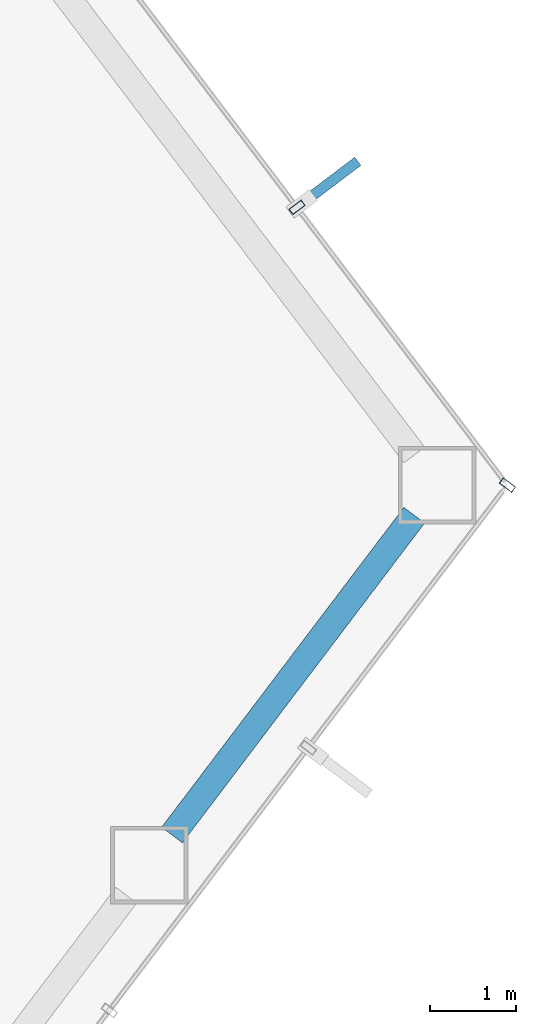
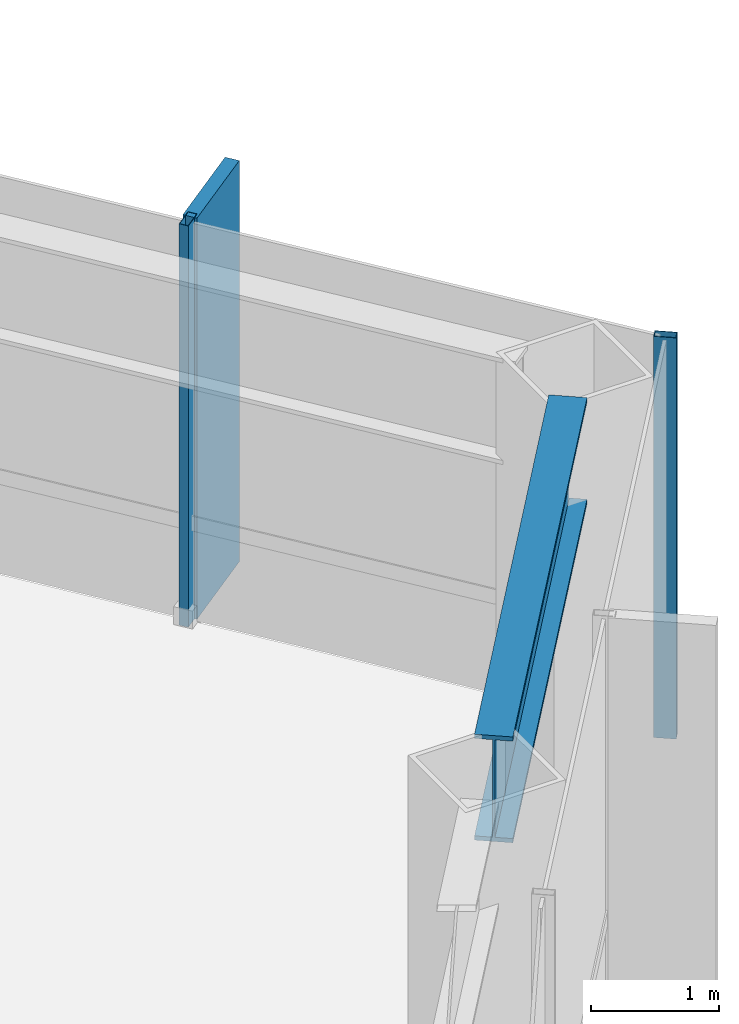
# One storey, part 18 of 25: 3 members, 1 beam, 2 elements without a shape of their own.
"""IFC4 building model written with IfcOpenShell, lengths in metres."""

from ifc_helpers import new_model, si_unit, direction, frame, origin, origin_2d, place, context, subcontext, project, spatial, rectangle, hollow_rectangle, i_section, extrude, material, layer, layer_set, material_profile, profile_set, type_object, element, aggregate, save


model = new_model("IFC4")

# Units and contexts
model_context = context("Model", 3, precision=1e-05, world=origin(), true_north=direction((0.0, 1.0)))
body_context = subcontext(model_context, "Body", "Model", "MODEL_VIEW")
ifc_project = project(units=[si_unit("LENGTHUNIT", "METRE"), si_unit("AREAUNIT", "SQUARE_METRE"), si_unit("VOLUMEUNIT", "CUBIC_METRE"), si_unit("PLANEANGLEUNIT", "RADIAN"), si_unit("MASSUNIT", "GRAM", prefix="KILO")], contexts=[model_context])

# Site, building, storey
site_placement = place(None, origin())
site = spatial("IfcSite", under=ifc_project, at=site_placement, CompositionType="ELEMENT")
building_placement = place(site_placement, origin())
building = spatial("IfcBuilding", under=site, at=building_placement, Name="Zarrinselat Tower", CompositionType="ELEMENT")
storey_placement = place(building_placement, frame((0.0, 0.0, 88.739990234375)))
storey = spatial("IfcBuildingStorey", under=building, at=storey_placement, Name="L21", CompositionType="ELEMENT", Elevation=88.739990234375)

# Beam
ifc_material_1 = material(Name="Steel S460M", Category="steel")
ifc_material_profile_1 = material_profile(ifc_material_1, i_section(OverallWidth=0.302001953125, OverallDepth=1.008056640625, WebThickness=0.02099609375, FlangeThickness=0.0400390625, at=origin_2d()), Name="HEM 1000")
ifc_profile_set_1 = profile_set([ifc_material_profile_1], Name="Steel S460M")
beam_type = type_object("IfcBeamType", Name="BM-HEM1000", PredefinedType="BEAM", material=ifc_profile_set_1)
beam_placement = place(storey_placement, frame((58.1611328125, 32.677978515625, 3.31591796875), z_axis=(0.603855667107, 0.797093679126, 0.0), x_axis=(-0.797093679126, 0.603855667107, 0.0)))
element("IfcBeam", 1, at=beam_placement, inside=storey, type_object=beam_type, Name="L21 Perimeter Spandrel Girder SP14", PredefinedType="BEAM", context=body_context, shape_type="SweptSolid", body=[
    extrude(i_section(OverallWidth=0.302001953125, OverallDepth=1.008056640625, WebThickness=0.02099609375, FlangeThickness=0.0400390625, at=origin_2d()), origin(), (0.0, 0.0, 1.0), 4.65185546875),
])

# Curtain wall, member
ifc_material_2 = material(Name="Extruded Aluminium Alloy EN AW-6063 T6", Category="aluminium")
ifc_layer = layer(ifc_material_2, 0.18505859375)
ifc_layer_set = layer_set([ifc_layer], Name="Extruded Aluminium Alloy EN AW-6063 T6")
curtain_wall_type = type_object("IfcCurtainWallType", Name="CWS-OFF", PredefinedType="NOTDEFINED", material=ifc_layer_set)
curtain_wall_1_placement = place(storey_placement, origin())
curtain_wall_1 = element("IfcCurtainWall", 2, at=curtain_wall_1_placement, inside=storey, type_object=curtain_wall_type, Name="L21 Unitised Curtain Wall CW-L21-E05", PredefinedType="NOTDEFINED")
ifc_material_3 = material(Name="Extruded Aluminium Alloy EN AW-6063 T6", Category="aluminium")
ifc_material_profile_2 = material_profile(ifc_material_3, hollow_rectangle(XDim=0.080078125, YDim=0.179931640625, WallThickness=0.0048828125, at=origin_2d()), Name="RHS 180x80x5")
ifc_profile_set_2 = profile_set([ifc_material_profile_2], Name="Extruded Aluminium Alloy EN AW-6063 T6")
member_type_1 = type_object("IfcMemberType", Name="MEM-CW-MUL", PredefinedType="MULLION", material=ifc_profile_set_2)
member_1_placement = place(storey_placement, frame((62.05029296875, 36.735107421875, 0.0), z_axis=(0.0, 0.0, 1.0), x_axis=(0.603855672579, 0.797093674981, 0.0)))
member_1 = element("IfcMember", 3, at=member_1_placement, type_object=member_type_1, Name="CW-L21-E05 Mullion 6", PredefinedType="MULLION", context=body_context, shape_type="SweptSolid", body=[
    extrude(hollow_rectangle(XDim=0.080078125, YDim=0.179931640625, WallThickness=0.0048828125, at=origin_2d()), origin(), (0.0, 0.0, 1.0), 3.820068359375),
])
aggregate(curtain_wall_1, [member_1])

# Curtain wall, members
curtain_wall_2_placement = place(storey_placement, origin())
curtain_wall_2 = element("IfcCurtainWall", 4, at=curtain_wall_2_placement, inside=storey, type_object=curtain_wall_type, Name="L21 Unitised Curtain Wall CW-L21-E06", PredefinedType="NOTDEFINED")
member_2_placement = place(storey_placement, frame((59.610595703125, 39.95556640625, 0.0), z_axis=(0.0, 0.0, 1.0), x_axis=(-0.603858164533, 0.797091787141, 0.0)))
member_2 = element("IfcMember", 5, at=member_2_placement, type_object=member_type_1, Name="CW-L21-E06 Mullion 1", PredefinedType="MULLION", context=body_context, shape_type="SweptSolid", body=[
    extrude(hollow_rectangle(XDim=0.080078125, YDim=0.179931640625, WallThickness=0.0048828125, at=origin_2d()), origin(), (0.0, 0.0, 1.0), 3.820068359375),
])
ifc_material_4 = material(Name="Honed Cream Travertine Stone", Category="masonry")
ifc_material_profile_3 = material_profile(ifc_material_4, rectangle(XDim=0.1201171875, YDim=0.85009765625, at=origin_2d()), Name="FIN 850x120")
ifc_profile_set_3 = profile_set([ifc_material_profile_3], Name="Honed Cream Travertine Stone")
member_type_2 = type_object("IfcMemberType", Name="MEM-STONE-FIN", PredefinedType="USERDEFINED", material=ifc_profile_set_3)
member_3_placement = place(storey_placement, frame((59.977294921875, 40.2333984375, 0.0), z_axis=(0.0, 0.0, 1.0), x_axis=(0.603858164533, -0.797091787141, 0.0)))
member_3 = element("IfcMember", 6, at=member_3_placement, type_object=member_type_2, Name="L21 Stone Shading Fin CW-L21-E06-01", ObjectType="FIN", PredefinedType="USERDEFINED", context=body_context, shape_type="SweptSolid", body=[
    extrude(rectangle(XDim=0.1201171875, YDim=0.85009765625, at=origin_2d()), origin(), (0.0, 0.0, 1.0), 3.820068359375),
])
aggregate(curtain_wall_2, [member_2, member_3])

save(model, "model.ifc")
